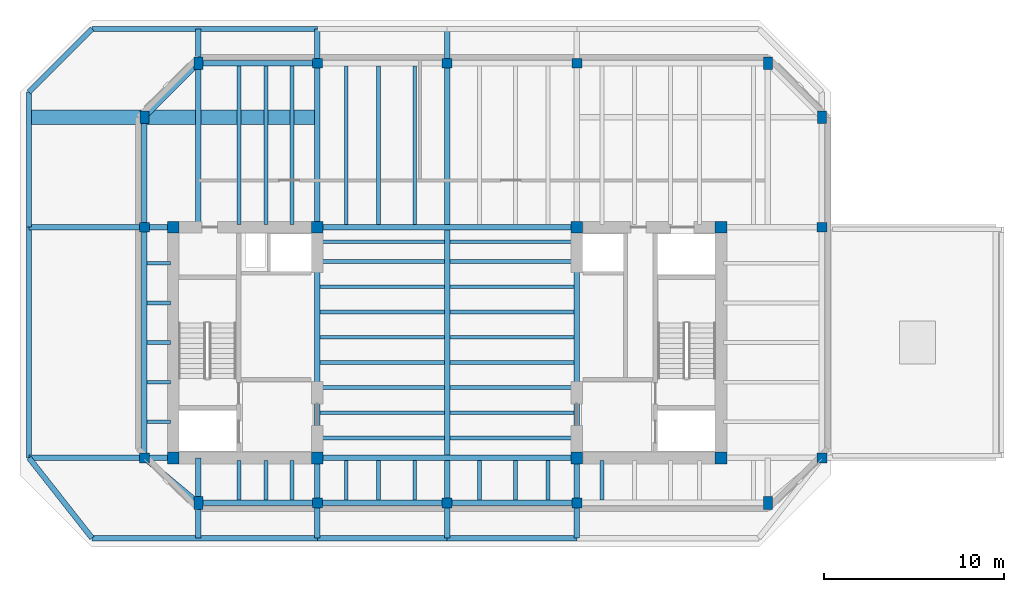
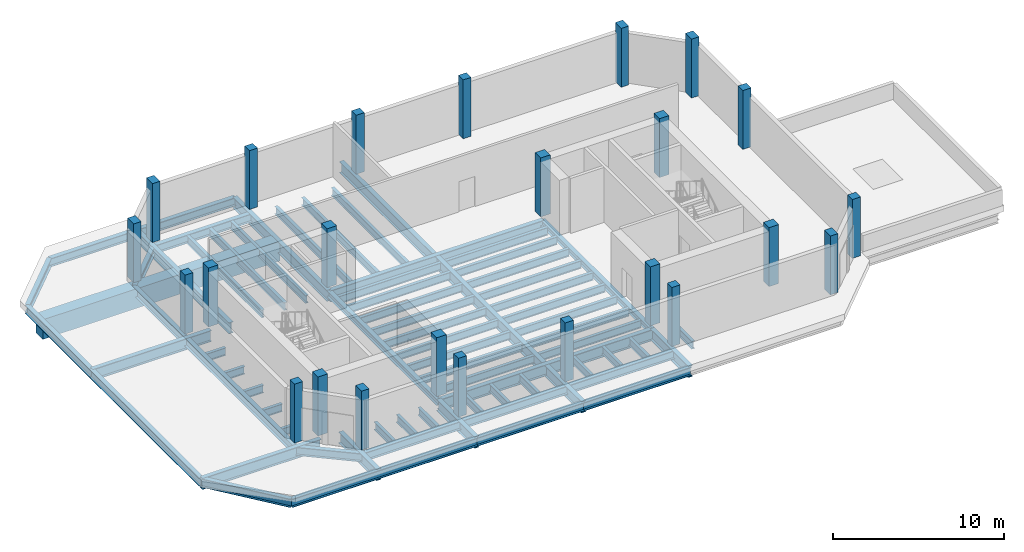
# One storey, part 1 of 5: 70 beams, 24 columns.
"""IFC4 building model written with IfcOpenShell, lengths in metres."""

from ifc_helpers import new_model, si_unit, direction, frame, origin, origin_2d, place, context, subcontext, project, spatial, rectangle, i_section, extrude, material, material_profile, profile_set, type_object, element, save


model = new_model("IFC4")

# Units and contexts
model_context = context("Model", 3, precision=1e-05, world=origin(), true_north=direction((0.0, 1.0)))
body_context = subcontext(model_context, "Body", "Model", "MODEL_VIEW")
ifc_project = project(units=[si_unit("LENGTHUNIT", "METRE"), si_unit("AREAUNIT", "SQUARE_METRE"), si_unit("VOLUMEUNIT", "CUBIC_METRE"), si_unit("PLANEANGLEUNIT", "RADIAN"), si_unit("MASSUNIT", "GRAM", prefix="KILO")], contexts=[model_context])

# Site, building, storey
site_placement = place(None, origin())
site = spatial("IfcSite", under=ifc_project, at=site_placement, CompositionType="ELEMENT")
building_placement = place(site_placement, origin())
building = spatial("IfcBuilding", under=site, at=building_placement, Name="Kranthara Brick Stack", CompositionType="ELEMENT")
storey_placement = place(building_placement, frame((0.0, 0.0, 292.199951171875)))
storey = spatial("IfcBuildingStorey", under=building, at=storey_placement, Name="L77", CompositionType="ELEMENT", Elevation=292.199951171875)

# Columns
ifc_material_1 = material(Name="Concrete C45/55", Category="concrete")
ifc_material_profile_1 = material_profile(ifc_material_1, rectangle(XDim=0.5, YDim=0.699951171875, at=origin_2d()), Name="RC 500x700")
ifc_profile_set_1 = profile_set([ifc_material_profile_1], Name="Concrete C45/55")
column_type_1 = type_object("IfcColumnType", Name="COL-CHAM-500x700", PredefinedType="COLUMN", material=ifc_profile_set_1)
for number, where, z_axis, x_axis, name in (
    (1, (14.199951171875, 18.300048828125, 0.0), (0.0, 0.0, 1.0), (1.0, 0.0, 0.0), "L77 Column 09"),
    (2, (14.199951171875, 42.699951171875, 0.0), (0.0, 0.0, 1.0), (1.0, 0.0, 0.0), "L77 Column 10"),
    (3, (45.800048828125, 18.300048828125, 0.0), (0.0, 0.0, 1.0), (1.0, 0.0, 0.0), "L77 Column 17"),
    (4, (45.800048828125, 42.699951171875, 0.0), (0.0, 0.0, 1.0), (1.0, 0.0, 0.0), "L77 Column 18"),
    (5, (11.199951171875, 39.699951171875, 0.0), (0.0, 0.0, 1.0), (1.0, 0.0, 0.0), "L77 Column 23"),
    (6, (48.800048828125, 39.699951171875, 0.0), (0.0, 0.0, 1.0), (1.0, 0.0, 0.0), "L77 Column 24"),
):
    element("IfcColumn", number, at=place(storey_placement, frame(where, z_axis=z_axis, x_axis=x_axis)), inside=storey, type_object=column_type_1, Name=name, PredefinedType="COLUMN", context=body_context, shape_type="SweptSolid", body=[
        extrude(rectangle(XDim=0.5, YDim=0.699951171875, at=origin_2d()), origin(), (0.0, 0.0, 1.0), 4.199951171875),
    ])
ifc_material_2 = material(Name="Concrete C50/60", Category="concrete")
ifc_material_profile_2 = material_profile(ifc_material_2, rectangle(XDim=0.64990234375, YDim=0.64990234375, at=origin_2d()), Name="RC 650x650")
ifc_profile_set_2 = profile_set([ifc_material_profile_2], Name="Concrete C50/60")
column_type_2 = type_object("IfcColumnType", Name="COL-CORE-650", PredefinedType="COLUMN", material=ifc_profile_set_2)
for number, where, z_axis, x_axis, name in (
    (7, (12.800048828125, 20.800048828125, 0.0), (0.0, 0.0, 1.0), (1.0, 0.0, 0.0), "L77 Column 01"),
    (8, (20.800048828125, 20.800048828125, 0.0), (0.0, 0.0, 1.0), (1.0, 0.0, 0.0), "L77 Column 02"),
    (9, (12.800048828125, 33.60009765625, 0.0), (0.0, 0.0, 1.0), (1.0, 0.0, 0.0), "L77 Column 03"),
    (10, (20.800048828125, 33.60009765625, 0.0), (0.0, 0.0, 1.0), (1.0, 0.0, 0.0), "L77 Column 04"),
    (11, (35.199951171875, 20.800048828125, 0.0), (0.0, 0.0, 1.0), (1.0, 0.0, 0.0), "L77 Column 05"),
    (12, (43.199951171875, 20.800048828125, 0.0), (0.0, 0.0, 1.0), (1.0, 0.0, 0.0), "L77 Column 06"),
    (13, (35.199951171875, 33.60009765625, 0.0), (0.0, 0.0, 1.0), (1.0, 0.0, 0.0), "L77 Column 07"),
    (14, (43.199951171875, 33.60009765625, 0.0), (0.0, 0.0, 1.0), (1.0, 0.0, 0.0), "L77 Column 08"),
):
    element("IfcColumn", number, at=place(storey_placement, frame(where, z_axis=z_axis, x_axis=x_axis)), inside=storey, type_object=column_type_2, Name=name, PredefinedType="COLUMN", context=body_context, shape_type="SweptSolid", body=[
        extrude(rectangle(XDim=0.64990234375, YDim=0.64990234375, at=origin_2d()), origin(), (0.0, 0.0, 1.0), 4.199951171875),
    ])
ifc_material_3 = material(Name="Concrete C45/55", Category="concrete")
ifc_material_profile_3 = material_profile(ifc_material_3, rectangle(XDim=0.550048828125, YDim=0.550048828125, at=origin_2d()), Name="RC 550x550")
ifc_profile_set_3 = profile_set([ifc_material_profile_3], Name="Concrete C45/55")
column_type_3 = type_object("IfcColumnType", Name="COL-PER-550", PredefinedType="COLUMN", material=ifc_profile_set_3)
for number, where, z_axis, x_axis, name in (
    (15, (20.800048828125, 18.300048828125, 0.0), (0.0, 0.0, 1.0), (1.0, 0.0, 0.0), "L77 Column 11"),
    (16, (20.800048828125, 42.699951171875, 0.0), (0.0, 0.0, 1.0), (1.0, 0.0, 0.0), "L77 Column 12"),
    (17, (28.0, 18.300048828125, 0.0), (0.0, 0.0, 1.0), (1.0, 0.0, 0.0), "L77 Column 13"),
    (18, (28.0, 42.699951171875, 0.0), (0.0, 0.0, 1.0), (1.0, 0.0, 0.0), "L77 Column 14"),
    (19, (35.199951171875, 18.300048828125, 0.0), (0.0, 0.0, 1.0), (1.0, 0.0, 0.0), "L77 Column 15"),
    (20, (35.199951171875, 42.699951171875, 0.0), (0.0, 0.0, 1.0), (1.0, 0.0, 0.0), "L77 Column 16"),
    (21, (11.199951171875, 20.800048828125, 0.0), (0.0, 0.0, 1.0), (1.0, 0.0, 0.0), "L77 Column 19"),
    (22, (48.800048828125, 20.800048828125, 0.0), (0.0, 0.0, 1.0), (1.0, 0.0, 0.0), "L77 Column 20"),
    (23, (11.199951171875, 33.60009765625, 0.0), (0.0, 0.0, 1.0), (1.0, 0.0, 0.0), "L77 Column 21"),
    (24, (48.800048828125, 33.60009765625, 0.0), (0.0, 0.0, 1.0), (1.0, 0.0, 0.0), "L77 Column 22"),
):
    element("IfcColumn", number, at=place(storey_placement, frame(where, z_axis=z_axis, x_axis=x_axis)), inside=storey, type_object=column_type_3, Name=name, PredefinedType="COLUMN", context=body_context, shape_type="SweptSolid", body=[
        extrude(rectangle(XDim=0.550048828125, YDim=0.550048828125, at=origin_2d()), origin(), (0.0, 0.0, 1.0), 4.199951171875),
    ])

# Beams
ifc_material_4 = material(Name="Steel S355", Category="steel")
ifc_material_profile_4 = material_profile(ifc_material_4, i_section(OverallWidth=0.2099609375, OverallDepth=0.550048828125, WebThickness=0.010986328125, FlangeThickness=0.01708984375, at=origin_2d()), Name="IPE 550")
ifc_profile_set_4 = profile_set([ifc_material_profile_4], Name="Steel S355")
beam_type_1 = type_object("IfcBeamType", Name="BM-JST-IPE550", PredefinedType="JOIST", material=ifc_profile_set_4)
for number, where, z_axis, x_axis, name in (
    (25, (20.949951171875, 21.89990234375, -0.724853515625), (1.0, 0.0, 0.0), (0.0, 1.0, 0.0), "L77 Central Floor Joist 052"),
    (26, (28.14990234375, 21.89990234375, -0.724853515625), (1.0, 0.0, 0.0), (0.0, 1.0, 0.0), "L77 Central Floor Joist 053"),
    (27, (20.949951171875, 23.300048828125, -0.724853515625), (1.0, 0.0, 0.0), (0.0, 1.0, 0.0), "L77 Central Floor Joist 054"),
    (28, (28.14990234375, 23.300048828125, -0.724853515625), (1.0, 0.0, 0.0), (0.0, 1.0, 0.0), "L77 Central Floor Joist 055"),
    (29, (20.949951171875, 24.699951171875, -0.724853515625), (1.0, 0.0, 0.0), (0.0, 1.0, 0.0), "L77 Central Floor Joist 056"),
    (30, (28.14990234375, 24.699951171875, -0.724853515625), (1.0, 0.0, 0.0), (0.0, 1.0, 0.0), "L77 Central Floor Joist 057"),
    (31, (20.949951171875, 26.10009765625, -0.724853515625), (1.0, 0.0, 0.0), (0.0, 1.0, 0.0), "L77 Central Floor Joist 058"),
    (32, (28.14990234375, 26.10009765625, -0.724853515625), (1.0, 0.0, 0.0), (0.0, 1.0, 0.0), "L77 Central Floor Joist 059"),
    (33, (20.949951171875, 27.5, -0.724853515625), (1.0, 0.0, 0.0), (0.0, 1.0, 0.0), "L77 Central Floor Joist 060"),
    (34, (28.14990234375, 27.5, -0.724853515625), (1.0, 0.0, 0.0), (0.0, 1.0, 0.0), "L77 Central Floor Joist 061"),
    (35, (20.949951171875, 28.89990234375, -0.724853515625), (1.0, 0.0, 0.0), (0.0, 1.0, 0.0), "L77 Central Floor Joist 062"),
    (36, (28.14990234375, 28.89990234375, -0.724853515625), (1.0, 0.0, 0.0), (0.0, 1.0, 0.0), "L77 Central Floor Joist 063"),
    (37, (20.949951171875, 30.300048828125, -0.724853515625), (1.0, 0.0, 0.0), (0.0, 1.0, 0.0), "L77 Central Floor Joist 064"),
    (38, (28.14990234375, 30.300048828125, -0.724853515625), (1.0, 0.0, 0.0), (0.0, 1.0, 0.0), "L77 Central Floor Joist 065"),
    (39, (20.949951171875, 31.699951171875, -0.724853515625), (1.0, 0.0, 0.0), (0.0, 1.0, 0.0), "L77 Central Floor Joist 066"),
    (40, (28.14990234375, 31.699951171875, -0.724853515625), (1.0, 0.0, 0.0), (0.0, 1.0, 0.0), "L77 Central Floor Joist 067"),
    (41, (20.949951171875, 32.800048828125, -0.724853515625), (1.0, 0.0, 0.0), (0.0, 1.0, 0.0), "L77 Central Floor Joist 068"),
    (42, (28.14990234375, 32.800048828125, -0.724853515625), (1.0, 0.0, 0.0), (0.0, 1.0, 0.0), "L77 Central Floor Joist 069"),
):
    element("IfcBeam", number, at=place(storey_placement, frame(where, z_axis=z_axis, x_axis=x_axis)), inside=storey, type_object=beam_type_1, Name=name, PredefinedType="JOIST", context=body_context, shape_type="SweptSolid", body=[
        extrude(i_section(OverallWidth=0.2099609375, OverallDepth=0.550048828125, WebThickness=0.010986328125, FlangeThickness=0.01708984375, at=origin_2d()), origin(), (0.0, 0.0, 1.0), 6.900146484375),
    ])
beam_1_placement = place(storey_placement, frame((16.449951171875, 18.449951171875, -0.724853515625), z_axis=(0.0, 1.0, 0.0), x_axis=(-1.0, 0.0, 0.0)))
element("IfcBeam", 43, at=beam_1_placement, inside=storey, type_object=beam_type_1, Name="L77 South Wing Floor Joist 070", PredefinedType="JOIST", context=body_context, shape_type="SweptSolid", body=[
    extrude(i_section(OverallWidth=0.2099609375, OverallDepth=0.550048828125, WebThickness=0.010986328125, FlangeThickness=0.01708984375, at=origin_2d()), origin(), (0.0, 0.0, 1.0), 2.199951171875),
])
beam_2_placement = place(storey_placement, frame((16.449951171875, 33.75, -0.724853515625), z_axis=(0.0, 1.0, 0.0), x_axis=(-1.0, 0.0, 0.0)))
element("IfcBeam", 44, at=beam_2_placement, inside=storey, type_object=beam_type_1, Name="L77 North Wing Floor Joist 071", PredefinedType="JOIST", context=body_context, shape_type="SweptSolid", body=[
    extrude(i_section(OverallWidth=0.2099609375, OverallDepth=0.550048828125, WebThickness=0.010986328125, FlangeThickness=0.01708984375, at=origin_2d()), origin(), (0.0, 0.0, 1.0), 8.800048828125),
])
beam_3_placement = place(storey_placement, frame((17.949951171875, 18.449951171875, -0.724853515625), z_axis=(0.0, 1.0, 0.0), x_axis=(-1.0, 0.0, 0.0)))
element("IfcBeam", 45, at=beam_3_placement, inside=storey, type_object=beam_type_1, Name="L77 South Wing Floor Joist 072", PredefinedType="JOIST", context=body_context, shape_type="SweptSolid", body=[
    extrude(i_section(OverallWidth=0.2099609375, OverallDepth=0.550048828125, WebThickness=0.010986328125, FlangeThickness=0.01708984375, at=origin_2d()), origin(), (0.0, 0.0, 1.0), 2.199951171875),
])
beam_4_placement = place(storey_placement, frame((17.949951171875, 33.75, -0.724853515625), z_axis=(0.0, 1.0, 0.0), x_axis=(-1.0, 0.0, 0.0)))
element("IfcBeam", 46, at=beam_4_placement, inside=storey, type_object=beam_type_1, Name="L77 North Wing Floor Joist 073", PredefinedType="JOIST", context=body_context, shape_type="SweptSolid", body=[
    extrude(i_section(OverallWidth=0.2099609375, OverallDepth=0.550048828125, WebThickness=0.010986328125, FlangeThickness=0.01708984375, at=origin_2d()), origin(), (0.0, 0.0, 1.0), 8.800048828125),
])
beam_5_placement = place(storey_placement, frame((19.39990234375, 18.449951171875, -0.724853515625), z_axis=(0.0, 1.0, 0.0), x_axis=(-1.0, 0.0, 0.0)))
element("IfcBeam", 47, at=beam_5_placement, inside=storey, type_object=beam_type_1, Name="L77 South Wing Floor Joist 074", PredefinedType="JOIST", context=body_context, shape_type="SweptSolid", body=[
    extrude(i_section(OverallWidth=0.2099609375, OverallDepth=0.550048828125, WebThickness=0.010986328125, FlangeThickness=0.01708984375, at=origin_2d()), origin(), (0.0, 0.0, 1.0), 2.199951171875),
])
beam_6_placement = place(storey_placement, frame((19.39990234375, 33.75, -0.724853515625), z_axis=(0.0, 1.0, 0.0), x_axis=(-1.0, 0.0, 0.0)))
element("IfcBeam", 48, at=beam_6_placement, inside=storey, type_object=beam_type_1, Name="L77 North Wing Floor Joist 075", PredefinedType="JOIST", context=body_context, shape_type="SweptSolid", body=[
    extrude(i_section(OverallWidth=0.2099609375, OverallDepth=0.550048828125, WebThickness=0.010986328125, FlangeThickness=0.01708984375, at=origin_2d()), origin(), (0.0, 0.0, 1.0), 8.800048828125),
])
beam_7_placement = place(storey_placement, frame((22.39990234375, 18.449951171875, -0.724853515625), z_axis=(0.0, 1.0, 0.0), x_axis=(-1.0, 0.0, 0.0)))
element("IfcBeam", 49, at=beam_7_placement, inside=storey, type_object=beam_type_1, Name="L77 South Wing Floor Joist 076", PredefinedType="JOIST", context=body_context, shape_type="SweptSolid", body=[
    extrude(i_section(OverallWidth=0.2099609375, OverallDepth=0.550048828125, WebThickness=0.010986328125, FlangeThickness=0.01708984375, at=origin_2d()), origin(), (0.0, 0.0, 1.0), 2.199951171875),
])
beam_8_placement = place(storey_placement, frame((22.39990234375, 33.75, -0.724853515625), z_axis=(0.0, 1.0, 0.0), x_axis=(-1.0, 0.0, 0.0)))
element("IfcBeam", 50, at=beam_8_placement, inside=storey, type_object=beam_type_1, Name="L77 North Wing Floor Joist 077", PredefinedType="JOIST", context=body_context, shape_type="SweptSolid", body=[
    extrude(i_section(OverallWidth=0.2099609375, OverallDepth=0.550048828125, WebThickness=0.010986328125, FlangeThickness=0.01708984375, at=origin_2d()), origin(), (0.0, 0.0, 1.0), 8.800048828125),
])
beam_9_placement = place(storey_placement, frame((24.199951171875, 18.449951171875, -0.724853515625), z_axis=(0.0, 1.0, 0.0), x_axis=(-1.0, 0.0, 0.0)))
element("IfcBeam", 51, at=beam_9_placement, inside=storey, type_object=beam_type_1, Name="L77 South Wing Floor Joist 078", PredefinedType="JOIST", context=body_context, shape_type="SweptSolid", body=[
    extrude(i_section(OverallWidth=0.2099609375, OverallDepth=0.550048828125, WebThickness=0.010986328125, FlangeThickness=0.01708984375, at=origin_2d()), origin(), (0.0, 0.0, 1.0), 2.199951171875),
])
beam_10_placement = place(storey_placement, frame((24.199951171875, 33.75, -0.724853515625), z_axis=(0.0, 1.0, 0.0), x_axis=(-1.0, 0.0, 0.0)))
element("IfcBeam", 52, at=beam_10_placement, inside=storey, type_object=beam_type_1, Name="L77 North Wing Floor Joist 079", PredefinedType="JOIST", context=body_context, shape_type="SweptSolid", body=[
    extrude(i_section(OverallWidth=0.2099609375, OverallDepth=0.550048828125, WebThickness=0.010986328125, FlangeThickness=0.01708984375, at=origin_2d()), origin(), (0.0, 0.0, 1.0), 8.800048828125),
])
beam_11_placement = place(storey_placement, frame((26.199951171875, 18.449951171875, -0.724853515625), z_axis=(0.0, 1.0, 0.0), x_axis=(-1.0, 0.0, 0.0)))
element("IfcBeam", 53, at=beam_11_placement, inside=storey, type_object=beam_type_1, Name="L77 South Wing Floor Joist 080", PredefinedType="JOIST", context=body_context, shape_type="SweptSolid", body=[
    extrude(i_section(OverallWidth=0.2099609375, OverallDepth=0.550048828125, WebThickness=0.010986328125, FlangeThickness=0.01708984375, at=origin_2d()), origin(), (0.0, 0.0, 1.0), 2.199951171875),
])
beam_12_placement = place(storey_placement, frame((26.199951171875, 33.75, -0.724853515625), z_axis=(0.0, 1.0, 0.0), x_axis=(-1.0, 0.0, 0.0)))
element("IfcBeam", 54, at=beam_12_placement, inside=storey, type_object=beam_type_1, Name="L77 North Wing Floor Joist 081", PredefinedType="JOIST", context=body_context, shape_type="SweptSolid", body=[
    extrude(i_section(OverallWidth=0.2099609375, OverallDepth=0.550048828125, WebThickness=0.010986328125, FlangeThickness=0.01708984375, at=origin_2d()), origin(), (0.0, 0.0, 1.0), 8.800048828125),
])
for number, where, z_axis, x_axis, name in (
    (55, (29.800048828125, 18.449951171875, -0.724853515625), (0.0, 1.0, 0.0), (-1.0, 0.0, 0.0), "L77 South Wing Floor Joist 082"),
    (56, (31.800048828125, 18.449951171875, -0.724853515625), (0.0, 1.0, 0.0), (-1.0, 0.0, 0.0), "L77 South Wing Floor Joist 084"),
    (57, (33.60009765625, 18.449951171875, -0.724853515625), (0.0, 1.0, 0.0), (-1.0, 0.0, 0.0), "L77 South Wing Floor Joist 086"),
    (58, (36.60009765625, 18.449951171875, -0.724853515625), (0.0, 1.0, 0.0), (-1.0, 0.0, 0.0), "L77 South Wing Floor Joist 088"),
):
    element("IfcBeam", number, at=place(storey_placement, frame(where, z_axis=z_axis, x_axis=x_axis)), inside=storey, type_object=beam_type_1, Name=name, PredefinedType="JOIST", context=body_context, shape_type="SweptSolid", body=[
        extrude(i_section(OverallWidth=0.2099609375, OverallDepth=0.550048828125, WebThickness=0.010986328125, FlangeThickness=0.01708984375, at=origin_2d()), origin(), (0.0, 0.0, 1.0), 2.199951171875),
    ])
for number, where, z_axis, x_axis, name in (
    (59, (11.35009765625, 22.800048828125, -0.724853515625), (1.0, 0.0, 0.0), (0.0, 1.0, 0.0), "L77 West Wing Floor Joist 098"),
    (60, (11.35009765625, 25.0, -0.724853515625), (1.0, 0.0, 0.0), (0.0, 1.0, 0.0), "L77 West Wing Floor Joist 100"),
    (61, (11.35009765625, 27.199951171875, -0.724853515625), (1.0, 0.0, 0.0), (0.0, 1.0, 0.0), "L77 West Wing Floor Joist 102"),
    (62, (11.35009765625, 29.39990234375, -0.724853515625), (1.0, 0.0, 0.0), (0.0, 1.0, 0.0), "L77 West Wing Floor Joist 104"),
    (63, (11.35009765625, 31.60009765625, -0.724853515625), (1.0, 0.0, 0.0), (0.0, 1.0, 0.0), "L77 West Wing Floor Joist 106"),
):
    element("IfcBeam", number, at=place(storey_placement, frame(where, z_axis=z_axis, x_axis=x_axis)), inside=storey, type_object=beam_type_1, Name=name, PredefinedType="JOIST", context=body_context, shape_type="SweptSolid", body=[
        extrude(i_section(OverallWidth=0.2099609375, OverallDepth=0.550048828125, WebThickness=0.010986328125, FlangeThickness=0.01708984375, at=origin_2d()), origin(), (0.0, 0.0, 1.0), 1.2998046875),
    ])
ifc_material_5 = material(Name="Steel S355", Category="steel")
ifc_material_profile_5 = material_profile(ifc_material_5, i_section(OverallWidth=0.300048828125, OverallDepth=0.449951171875, WebThickness=0.013916015625, FlangeThickness=0.02587890625, at=origin_2d()), Name="HEB 450")
ifc_profile_set_5 = profile_set([ifc_material_profile_5], Name="Steel S355")
beam_type_2 = type_object("IfcBeamType", Name="BM-STL-HEB450", PredefinedType="SPANDREL", material=ifc_profile_set_5)
for number, where, z_axis, x_axis, name in (
    (64, (20.800048828125, 20.800048828125, -0.675048828125), (0.0, 1.0, 0.0), (-1.0, 0.0, 0.0), "L77 Core Edge Tie Beam 003"),
    (65, (35.199951171875, 20.800048828125, -0.675048828125), (0.0, 1.0, 0.0), (-1.0, 0.0, 0.0), "L77 Core Edge Tie Beam 004"),
):
    element("IfcBeam", number, at=place(storey_placement, frame(where, z_axis=z_axis, x_axis=x_axis)), inside=storey, type_object=beam_type_2, Name=name, PredefinedType="SPANDREL", context=body_context, shape_type="SweptSolid", body=[
        extrude(i_section(OverallWidth=0.300048828125, OverallDepth=0.449951171875, WebThickness=0.013916015625, FlangeThickness=0.02587890625, at=origin_2d()), origin(), (0.0, 0.0, 1.0), 12.800048828125),
    ])
ifc_material_6 = material(Name="Steel S355", Category="steel")
ifc_material_profile_6 = material_profile(ifc_material_6, i_section(OverallWidth=0.300048828125, OverallDepth=0.60009765625, WebThickness=0.015380859375, FlangeThickness=0.030029296875, at=origin_2d()), Name="HEB 600")
ifc_profile_set_6 = profile_set([ifc_material_profile_6], Name="Steel S355")
beam_type_3 = type_object("IfcBeamType", Name="BM-STL-HEB600", PredefinedType="BEAM", material=ifc_profile_set_6)
beam_13_placement = place(storey_placement, frame((8.300048828125, 16.35009765625, -0.75), z_axis=(1.0, 0.0, 0.0), x_axis=(0.0, 1.0, 0.0)))
element("IfcBeam", 66, at=beam_13_placement, inside=storey, type_object=beam_type_3, Name="L77 Perimeter Spandrel Beam 005", PredefinedType="BEAM", context=body_context, shape_type="SweptSolid", body=[
    extrude(i_section(OverallWidth=0.300048828125, OverallDepth=0.60009765625, WebThickness=0.015380859375, FlangeThickness=0.030029296875, at=origin_2d()), origin(), (0.0, 0.0, 1.0), 12.5),
])
for number, where, z_axis, x_axis, name in (
    (67, (20.800048828125, 16.35009765625, -0.75), (1.0, 0.0, 0.0), (0.0, 1.0, 0.0), "L77 Perimeter Spandrel Beam 006"),
    (68, (28.0, 16.35009765625, -0.75), (1.0, 0.0, 0.0), (0.0, 1.0, 0.0), "L77 Perimeter Spandrel Beam 007"),
):
    element("IfcBeam", number, at=place(storey_placement, frame(where, z_axis=z_axis, x_axis=x_axis)), inside=storey, type_object=beam_type_3, Name=name, PredefinedType="BEAM", context=body_context, shape_type="SweptSolid", body=[
        extrude(i_section(OverallWidth=0.300048828125, OverallDepth=0.60009765625, WebThickness=0.015380859375, FlangeThickness=0.030029296875, at=origin_2d()), origin(), (0.0, 0.0, 1.0), 7.199951171875),
    ])
beam_14_placement = place(storey_placement, frame((8.300048828125, 44.60009765625, -0.75), z_axis=(1.0, 0.0, 0.0), x_axis=(0.0, 1.0, 0.0)))
element("IfcBeam", 69, at=beam_14_placement, inside=storey, type_object=beam_type_3, Name="L77 Perimeter Spandrel Beam 009", PredefinedType="BEAM", context=body_context, shape_type="SweptSolid", body=[
    extrude(i_section(OverallWidth=0.300048828125, OverallDepth=0.60009765625, WebThickness=0.015380859375, FlangeThickness=0.030029296875, at=origin_2d()), origin(), (0.0, 0.0, 1.0), 12.5),
])
beam_15_placement = place(storey_placement, frame((4.800048828125, 20.800048828125, -0.75), z_axis=(0.0, 1.0, 0.0), x_axis=(-1.0, 0.0, 0.0)))
element("IfcBeam", 70, at=beam_15_placement, inside=storey, type_object=beam_type_3, Name="L77 Perimeter Spandrel Beam 013", PredefinedType="BEAM", context=body_context, shape_type="SweptSolid", body=[
    extrude(i_section(OverallWidth=0.300048828125, OverallDepth=0.60009765625, WebThickness=0.015380859375, FlangeThickness=0.030029296875, at=origin_2d()), origin(), (0.0, 0.0, 1.0), 12.800048828125),
])
beam_16_placement = place(storey_placement, frame((4.800048828125, 33.60009765625, -0.75), z_axis=(0.0, 1.0, 0.0), x_axis=(-1.0, 0.0, 0.0)))
element("IfcBeam", 71, at=beam_16_placement, inside=storey, type_object=beam_type_3, Name="L77 Perimeter Spandrel Beam 014", PredefinedType="BEAM", context=body_context, shape_type="SweptSolid", body=[
    extrude(i_section(OverallWidth=0.300048828125, OverallDepth=0.60009765625, WebThickness=0.015380859375, FlangeThickness=0.030029296875, at=origin_2d()), origin(), (0.0, 0.0, 1.0), 7.5),
])
beam_17_placement = place(storey_placement, frame((8.300048828125, 16.35009765625, -0.75), z_axis=(-0.618215705636, 0.78600848679, 0.0), x_axis=(-0.78600848679, -0.618215705636, 0.0)))
element("IfcBeam", 72, at=beam_17_placement, inside=storey, type_object=beam_type_3, Name="L77 Chamfer Corner Spandrel 017", PredefinedType="BEAM", context=body_context, shape_type="SweptSolid", body=[
    extrude(i_section(OverallWidth=0.300048828125, OverallDepth=0.60009765625, WebThickness=0.015380859375, FlangeThickness=0.030029296875, at=origin_2d()), origin(), (0.0, 0.0, 1.0), 5.661376953125),
])
beam_18_placement = place(storey_placement, frame((8.300048828125, 44.60009765625, -0.75), z_axis=(-0.707106781187, -0.707106781187, 0.0), x_axis=(0.707106781187, -0.707106781187, 0.0)))
element("IfcBeam", 73, at=beam_18_placement, inside=storey, type_object=beam_type_3, Name="L77 Chamfer Corner Spandrel 019", PredefinedType="BEAM", context=body_context, shape_type="SweptSolid", body=[
    extrude(i_section(OverallWidth=0.300048828125, OverallDepth=0.60009765625, WebThickness=0.015380859375, FlangeThickness=0.030029296875, at=origin_2d()), origin(), (0.0, 0.0, 1.0), 4.94970703125),
])
beam_19_placement = place(storey_placement, frame((14.199951171875, 18.300048828125, -0.75), z_axis=(1.0, 0.0, 0.0), x_axis=(0.0, 1.0, 0.0)))
element("IfcBeam", 74, at=beam_19_placement, inside=storey, type_object=beam_type_3, Name="L77 Perimeter Spandrel Beam 021", PredefinedType="BEAM", context=body_context, shape_type="SweptSolid", body=[
    extrude(i_section(OverallWidth=0.300048828125, OverallDepth=0.60009765625, WebThickness=0.015380859375, FlangeThickness=0.030029296875, at=origin_2d()), origin(), (0.0, 0.0, 1.0), 6.60009765625),
])
for number, where, z_axis, x_axis, name in (
    (75, (20.800048828125, 18.300048828125, -0.75), (1.0, 0.0, 0.0), (0.0, 1.0, 0.0), "L77 Perimeter Spandrel Beam 022"),
    (76, (28.0, 18.300048828125, -0.75), (1.0, 0.0, 0.0), (0.0, 1.0, 0.0), "L77 Perimeter Spandrel Beam 023"),
):
    element("IfcBeam", number, at=place(storey_placement, frame(where, z_axis=z_axis, x_axis=x_axis)), inside=storey, type_object=beam_type_3, Name=name, PredefinedType="BEAM", context=body_context, shape_type="SweptSolid", body=[
        extrude(i_section(OverallWidth=0.300048828125, OverallDepth=0.60009765625, WebThickness=0.015380859375, FlangeThickness=0.030029296875, at=origin_2d()), origin(), (0.0, 0.0, 1.0), 7.199951171875),
    ])
beam_20_placement = place(storey_placement, frame((14.199951171875, 42.699951171875, -0.75), z_axis=(1.0, 0.0, 0.0), x_axis=(0.0, 1.0, 0.0)))
element("IfcBeam", 77, at=beam_20_placement, inside=storey, type_object=beam_type_3, Name="L77 Perimeter Spandrel Beam 025", PredefinedType="BEAM", context=body_context, shape_type="SweptSolid", body=[
    extrude(i_section(OverallWidth=0.300048828125, OverallDepth=0.60009765625, WebThickness=0.015380859375, FlangeThickness=0.030029296875, at=origin_2d()), origin(), (0.0, 0.0, 1.0), 6.60009765625),
])
beam_21_placement = place(storey_placement, frame((11.199951171875, 20.800048828125, -0.75), z_axis=(0.0, 1.0, 0.0), x_axis=(-1.0, 0.0, 0.0)))
element("IfcBeam", 78, at=beam_21_placement, inside=storey, type_object=beam_type_3, Name="L77 Perimeter Spandrel Beam 029", PredefinedType="BEAM", context=body_context, shape_type="SweptSolid", body=[
    extrude(i_section(OverallWidth=0.300048828125, OverallDepth=0.60009765625, WebThickness=0.015380859375, FlangeThickness=0.030029296875, at=origin_2d()), origin(), (0.0, 0.0, 1.0), 12.800048828125),
])
beam_22_placement = place(storey_placement, frame((11.199951171875, 33.60009765625, -0.75), z_axis=(0.0, 1.0, 0.0), x_axis=(-1.0, 0.0, 0.0)))
element("IfcBeam", 79, at=beam_22_placement, inside=storey, type_object=beam_type_3, Name="L77 Perimeter Spandrel Beam 030", PredefinedType="BEAM", context=body_context, shape_type="SweptSolid", body=[
    extrude(i_section(OverallWidth=0.300048828125, OverallDepth=0.60009765625, WebThickness=0.015380859375, FlangeThickness=0.030029296875, at=origin_2d()), origin(), (0.0, 0.0, 1.0), 6.099853515625),
])
beam_23_placement = place(storey_placement, frame((14.199951171875, 18.300048828125, -0.75), z_axis=(-0.768221279597, 0.640184399664, 0.0), x_axis=(-0.640184399664, -0.768221279597, 0.0)))
element("IfcBeam", 80, at=beam_23_placement, inside=storey, type_object=beam_type_3, Name="L77 Chamfer Corner Spandrel 031", PredefinedType="BEAM", context=body_context, shape_type="SweptSolid", body=[
    extrude(i_section(OverallWidth=0.300048828125, OverallDepth=0.60009765625, WebThickness=0.015380859375, FlangeThickness=0.030029296875, at=origin_2d()), origin(), (0.0, 0.0, 1.0), 3.905029296875),
])
beam_24_placement = place(storey_placement, frame((14.199951171875, 42.699951171875, -0.75), z_axis=(-0.707106781187, -0.707106781187, 0.0), x_axis=(0.707106781187, -0.707106781187, 0.0)))
element("IfcBeam", 81, at=beam_24_placement, inside=storey, type_object=beam_type_3, Name="L77 Chamfer Corner Spandrel 033", PredefinedType="BEAM", context=body_context, shape_type="SweptSolid", body=[
    extrude(i_section(OverallWidth=0.300048828125, OverallDepth=0.60009765625, WebThickness=0.015380859375, FlangeThickness=0.030029296875, at=origin_2d()), origin(), (0.0, 0.0, 1.0), 4.24267578125),
])
ifc_material_7 = material(Name="Steel S355", Category="steel")
ifc_material_profile_7 = material_profile(ifc_material_7, i_section(OverallWidth=0.300048828125, OverallDepth=0.800048828125, WebThickness=0.017578125, FlangeThickness=0.032958984375, at=origin_2d()), Name="HEB 800")
ifc_profile_set_7 = profile_set([ifc_material_profile_7], Name="Steel S355")
beam_type_4 = type_object("IfcBeamType", Name="BM-TR-HEB800", PredefinedType="BEAM", material=ifc_profile_set_7)
for number, where, z_axis, x_axis, name in (
    (82, (20.800048828125, 20.800048828125, -0.849853515625), (1.0, 0.0, 0.0), (0.0, 1.0, 0.0), "L77 Core Coupling Beam 001"),
    (83, (20.800048828125, 33.60009765625, -0.849853515625), (1.0, 0.0, 0.0), (0.0, 1.0, 0.0), "L77 Core Coupling Beam 002"),
):
    element("IfcBeam", number, at=place(storey_placement, frame(where, z_axis=z_axis, x_axis=x_axis)), inside=storey, type_object=beam_type_4, Name=name, PredefinedType="BEAM", context=body_context, shape_type="SweptSolid", body=[
        extrude(i_section(OverallWidth=0.300048828125, OverallDepth=0.800048828125, WebThickness=0.017578125, FlangeThickness=0.032958984375, at=origin_2d()), origin(), (0.0, 0.0, 1.0), 14.39990234375),
    ])
beam_25_placement = place(storey_placement, frame((20.800048828125, 16.35009765625, -0.849853515625), z_axis=(0.0, 1.0, 0.0), x_axis=(-1.0, 0.0, 0.0)))
element("IfcBeam", 84, at=beam_25_placement, inside=storey, type_object=beam_type_4, Name="L77 Primary Grid Girder 035", PredefinedType="BEAM", context=body_context, shape_type="SweptSolid", body=[
    extrude(i_section(OverallWidth=0.300048828125, OverallDepth=0.800048828125, WebThickness=0.017578125, FlangeThickness=0.032958984375, at=origin_2d()), origin(), (0.0, 0.0, 1.0), 4.449951171875),
])
beam_26_placement = place(storey_placement, frame((20.800048828125, 33.60009765625, -0.849853515625), z_axis=(0.0, 1.0, 0.0), x_axis=(-1.0, 0.0, 0.0)))
element("IfcBeam", 85, at=beam_26_placement, inside=storey, type_object=beam_type_4, Name="L77 Primary Grid Girder 036", PredefinedType="BEAM", context=body_context, shape_type="SweptSolid", body=[
    extrude(i_section(OverallWidth=0.300048828125, OverallDepth=0.800048828125, WebThickness=0.017578125, FlangeThickness=0.032958984375, at=origin_2d()), origin(), (0.0, 0.0, 1.0), 11.0),
])
beam_27_placement = place(storey_placement, frame((28.0, 16.35009765625, -0.849853515625), z_axis=(0.0, 1.0, 0.0), x_axis=(-1.0, 0.0, 0.0)))
element("IfcBeam", 86, at=beam_27_placement, inside=storey, type_object=beam_type_4, Name="L77 Primary Grid Girder 037", PredefinedType="BEAM", context=body_context, shape_type="SweptSolid", body=[
    extrude(i_section(OverallWidth=0.300048828125, OverallDepth=0.800048828125, WebThickness=0.017578125, FlangeThickness=0.032958984375, at=origin_2d()), origin(), (0.0, 0.0, 1.0), 4.2998046875),
])
beam_28_placement = place(storey_placement, frame((28.0, 20.949951171875, -0.849853515625), z_axis=(0.0, 1.0, 0.0), x_axis=(-1.0, 0.0, 0.0)))
element("IfcBeam", 87, at=beam_28_placement, inside=storey, type_object=beam_type_4, Name="L77 Central Spine Girder 038", PredefinedType="BEAM", context=body_context, shape_type="SweptSolid", body=[
    extrude(i_section(OverallWidth=0.300048828125, OverallDepth=0.800048828125, WebThickness=0.017578125, FlangeThickness=0.032958984375, at=origin_2d()), origin(), (0.0, 0.0, 1.0), 12.5),
])
beam_29_placement = place(storey_placement, frame((28.0, 33.75, -0.849853515625), z_axis=(0.0, 1.0, 0.0), x_axis=(-1.0, 0.0, 0.0)))
element("IfcBeam", 88, at=beam_29_placement, inside=storey, type_object=beam_type_4, Name="L77 Primary Grid Girder 039", PredefinedType="BEAM", context=body_context, shape_type="SweptSolid", body=[
    extrude(i_section(OverallWidth=0.300048828125, OverallDepth=0.800048828125, WebThickness=0.017578125, FlangeThickness=0.032958984375, at=origin_2d()), origin(), (0.0, 0.0, 1.0), 10.85009765625),
])
beam_30_placement = place(storey_placement, frame((35.199951171875, 16.35009765625, -0.849853515625), z_axis=(0.0, 1.0, 0.0), x_axis=(-1.0, 0.0, 0.0)))
element("IfcBeam", 89, at=beam_30_placement, inside=storey, type_object=beam_type_4, Name="L77 Primary Grid Girder 040", PredefinedType="BEAM", context=body_context, shape_type="SweptSolid", body=[
    extrude(i_section(OverallWidth=0.300048828125, OverallDepth=0.800048828125, WebThickness=0.017578125, FlangeThickness=0.032958984375, at=origin_2d()), origin(), (0.0, 0.0, 1.0), 4.449951171875),
])
for number, where, z_axis, x_axis, name in (
    (90, (4.800048828125, 20.800048828125, -0.849853515625), (1.0, 0.0, 0.0), (0.0, 1.0, 0.0), "L77 Primary Grid Girder 042"),
    (91, (4.800048828125, 33.60009765625, -0.849853515625), (1.0, 0.0, 0.0), (0.0, 1.0, 0.0), "L77 Primary Grid Girder 044"),
):
    element("IfcBeam", number, at=place(storey_placement, frame(where, z_axis=z_axis, x_axis=x_axis)), inside=storey, type_object=beam_type_4, Name=name, PredefinedType="BEAM", context=body_context, shape_type="SweptSolid", body=[
        extrude(i_section(OverallWidth=0.300048828125, OverallDepth=0.800048828125, WebThickness=0.017578125, FlangeThickness=0.032958984375, at=origin_2d()), origin(), (0.0, 0.0, 1.0), 8.0),
    ])
beam_31_placement = place(storey_placement, frame((14.199951171875, 16.35009765625, -0.849853515625), z_axis=(0.0, 1.0, 0.0), x_axis=(-1.0, 0.0, 0.0)))
element("IfcBeam", 92, at=beam_31_placement, inside=storey, type_object=beam_type_4, Name="L77 Transfer Tie Girder 046", PredefinedType="BEAM", context=body_context, shape_type="SweptSolid", body=[
    extrude(i_section(OverallWidth=0.300048828125, OverallDepth=0.800048828125, WebThickness=0.017578125, FlangeThickness=0.032958984375, at=origin_2d()), origin(), (0.0, 0.0, 1.0), 4.449951171875),
])
beam_32_placement = place(storey_placement, frame((14.199951171875, 44.60009765625, -0.849853515625), z_axis=(0.0, -1.0, 0.0), x_axis=(1.0, 0.0, 0.0)))
element("IfcBeam", 93, at=beam_32_placement, inside=storey, type_object=beam_type_4, Name="L77 Transfer Tie Girder 047", PredefinedType="BEAM", context=body_context, shape_type="SweptSolid", body=[
    extrude(i_section(OverallWidth=0.300048828125, OverallDepth=0.800048828125, WebThickness=0.017578125, FlangeThickness=0.032958984375, at=origin_2d()), origin(), (0.0, 0.0, 1.0), 11.0),
])
ifc_material_8 = material(Name="Post-tensioned concrete C50/60", Category="concrete")
ifc_material_profile_8 = material_profile(ifc_material_8, rectangle(XDim=0.800048828125, YDim=1.39990234375, at=origin_2d()), Name="PT 800x1400")
ifc_profile_set_8 = profile_set([ifc_material_profile_8], Name="Post-tensioned concrete C50/60")
beam_type_5 = type_object("IfcBeamType", Name="BM-TR-PT1400", PredefinedType="T_BEAM", material=ifc_profile_set_8)
beam_33_placement = place(storey_placement, frame((4.800048828125, 39.699951171875, -1.14990234375), z_axis=(1.0, 0.0, 0.0), x_axis=(0.0, 1.0, 0.0)))
element("IfcBeam", 94, at=beam_33_placement, inside=storey, type_object=beam_type_5, Name="L77 Transfer Tie Girder 050", PredefinedType="T_BEAM", context=body_context, shape_type="SweptSolid", body=[
    extrude(rectangle(XDim=0.800048828125, YDim=1.39990234375, at=origin_2d()), origin(), (0.0, 0.0, 1.0), 16.0),
])

save(model, "model.ifc")
